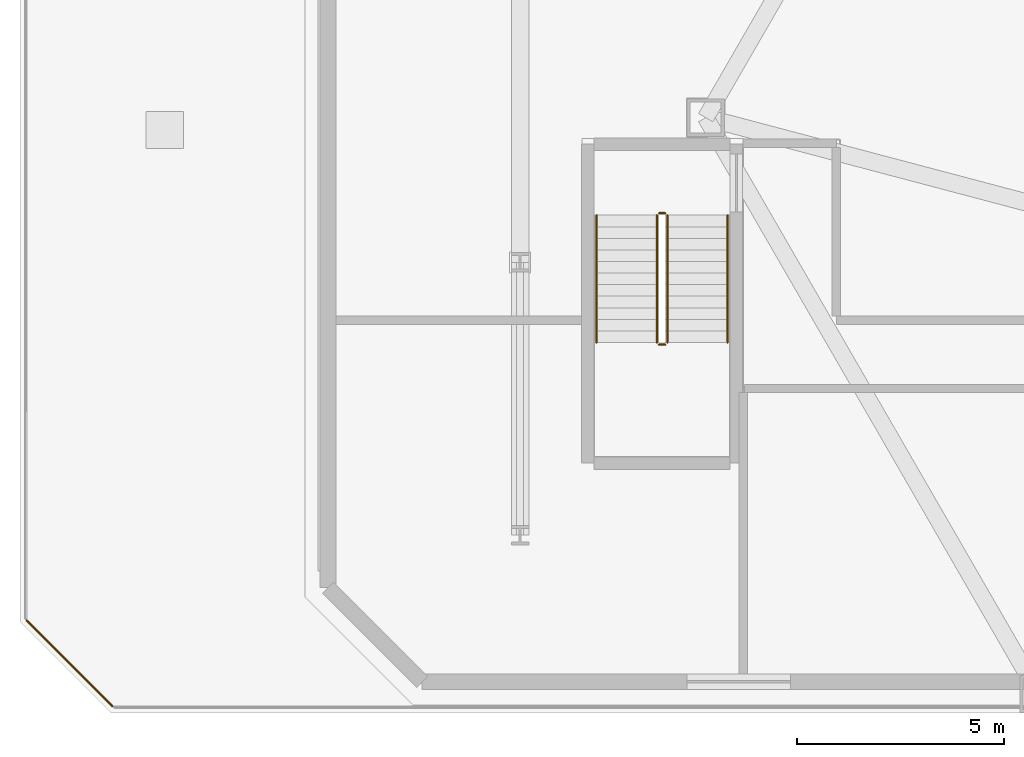
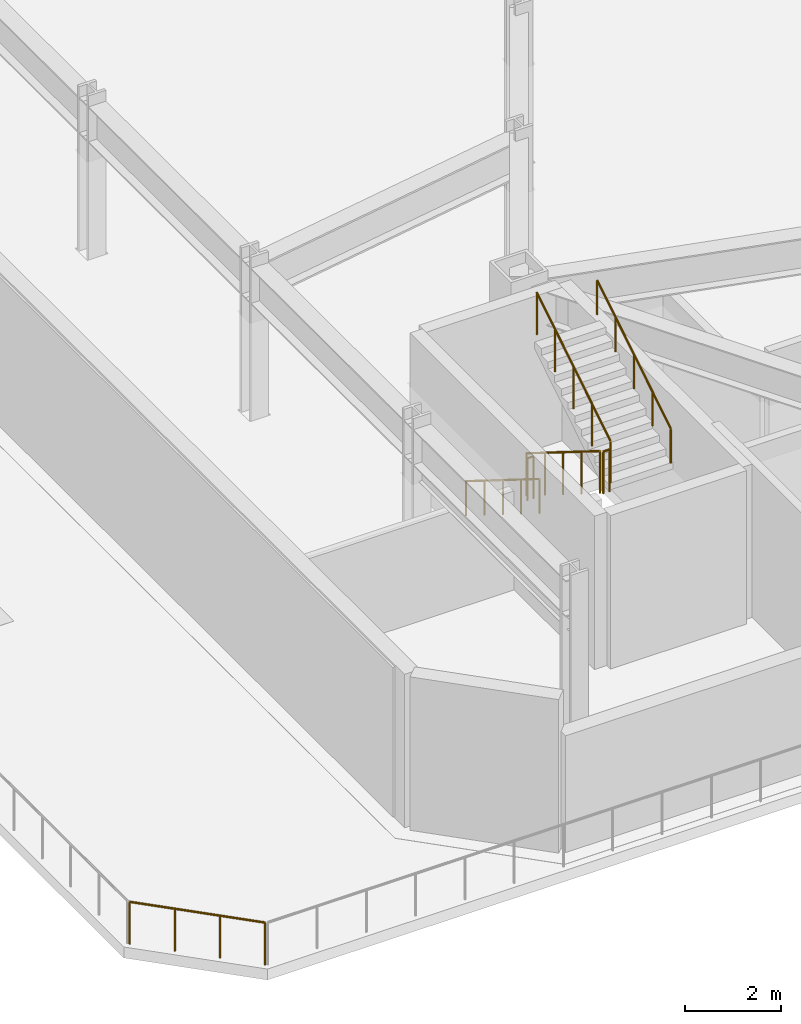
# One storey, part 11 of 16: 7 railings.
"""IFC4 building model written with IfcOpenShell, lengths in metres."""

from ifc_helpers import new_model, si_unit, direction, frame, origin, origin_2d, place, context, subcontext, project, spatial, circle, extrude, material, type_object, element, save


model = new_model("IFC4")

# Units and contexts
model_context = context("Model", 3, precision=1e-05, world=origin(), true_north=direction((0.0, 1.0)))
body_context = subcontext(model_context, "Body", "Model", "MODEL_VIEW")
ifc_project = project(units=[si_unit("LENGTHUNIT", "METRE"), si_unit("AREAUNIT", "SQUARE_METRE"), si_unit("VOLUMEUNIT", "CUBIC_METRE"), si_unit("PLANEANGLEUNIT", "RADIAN"), si_unit("MASSUNIT", "GRAM", prefix="KILO")], contexts=[model_context])

# Site, building, storey
site_placement = place(None, origin())
site = spatial("IfcSite", under=ifc_project, at=site_placement, CompositionType="ELEMENT")
building_placement = place(site_placement, origin())
building = spatial("IfcBuilding", under=site, at=building_placement, Name="Oramaril Tower", CompositionType="ELEMENT")
storey_placement = place(building_placement, frame((0.0, 0.0, 9.89990234375)))
storey = spatial("IfcBuildingStorey", under=building, at=storey_placement, Name="L02", CompositionType="ELEMENT", Elevation=9.89990234375)

# Railings
ifc_material_1 = material(Name="Stainless Steel 316L", Category="steel")
railing_type_1 = type_object("IfcRailingType", Name="RLT-GRD", PredefinedType="GUARDRAIL", material=ifc_material_1)
railing_1_placement = place(storey_placement, frame((-3.3388671875, 3.13671875, 0.0)))
element("IfcRailing", 1, at=railing_1_placement, inside=storey, type_object=railing_type_1, Name="L02 Podium Terrace Guardrail 08", PredefinedType="GUARDRAIL", context=body_context, shape_type="SweptSolid", body=[
    extrude(circle(Radius=0.02392578125, at=origin_2d()), frame((0.0, 0.0, 1.076171875), z_axis=(0.707148367141, -0.707065192786, 0.0), x_axis=(0.707065192786, 0.707148367141, 0.0)), (0.0, 0.0, 1.0), 2.935302734375),
    extrude(circle(Radius=0.02099609375, at=origin_2d()), origin(), (0.0, 0.0, 1.0), 1.052001953125),
    extrude(circle(Radius=0.02099609375, at=origin_2d()), frame((0.69189453125, -0.69189453125, 0.0)), (0.0, 0.0, 1.0), 1.052001953125),
    extrude(circle(Radius=0.02099609375, at=origin_2d()), frame((1.3837890625, -1.383544921875, 0.0)), (0.0, 0.0, 1.0), 1.052001953125),
    extrude(circle(Radius=0.02099609375, at=origin_2d()), frame((2.07568359375, -2.075439453125, 0.0)), (0.0, 0.0, 1.0), 1.052001953125),
])
railing_2_placement = place(storey_placement, frame((11.909912109375, 12.93994140625, 0.175048828125)))
element("IfcRailing", 2, at=railing_2_placement, inside=storey, type_object=railing_type_1, Name="L02 ST-3 stair guard 1", PredefinedType="GUARDRAIL", context=body_context, shape_type="SweptSolid", body=[
    extrude(circle(Radius=0.02392578125, at=origin_2d()), frame((0.0, 0.0, 1.076171875), z_axis=(0.0, -0.847979421464, 0.530029150871), x_axis=(1.0, 0.0, 0.0)), (0.0, 0.0, 1.0), 3.632080078125),
    extrude(circle(Radius=0.02099609375, at=origin_2d()), origin(), (0.0, 0.0, 1.0), 1.052001953125),
    extrude(circle(Radius=0.02099609375, at=origin_2d()), frame((0.0, -0.77001953125, 0.481201171875)), (0.0, 0.0, 1.0), 1.052001953125),
    extrude(circle(Radius=0.02099609375, at=origin_2d()), frame((0.0, -1.5400390625, 0.96240234375)), (0.0, 0.0, 1.0), 1.052001953125),
    extrude(circle(Radius=0.02099609375, at=origin_2d()), frame((0.0, -2.309814453125, 1.44384765625)), (0.0, 0.0, 1.0), 1.052001953125),
    extrude(circle(Radius=0.02099609375, at=origin_2d()), frame((0.0, -3.079833984375, 1.925048828125)), (0.0, 0.0, 1.0), 1.052001953125),
])
railing_3_placement = place(storey_placement, frame((11.9599609375, 9.81005859375, 2.10009765625)))
element("IfcRailing", 3, at=railing_3_placement, inside=storey, type_object=railing_type_1, Name="L02 ST-3 stair guard 2", PredefinedType="GUARDRAIL", context=body_context, shape_type="SweptSolid", body=[
    extrude(circle(Radius=0.02392578125, at=origin_2d()), frame((0.0, 0.0, 1.076171875), z_axis=(1.0, 0.0, 0.0), x_axis=(0.0, 1.0, 0.0)), (0.0, 0.0, 1.0), 0.150146484375),
    extrude(circle(Radius=0.02099609375, at=origin_2d()), origin(), (0.0, 0.0, 1.0), 1.052001953125),
    extrude(circle(Radius=0.02099609375, at=origin_2d()), frame((0.150146484375, 0.0, 0.0)), (0.0, 0.0, 1.0), 1.052001953125),
])
railing_4_placement = place(storey_placement, frame((12.159912109375, 9.860107421875, 2.275146484375)))
element("IfcRailing", 4, at=railing_4_placement, inside=storey, type_object=railing_type_1, Name="L02 ST-3 stair guard 3", PredefinedType="GUARDRAIL", context=body_context, shape_type="SweptSolid", body=[
    extrude(circle(Radius=0.02392578125, at=origin_2d()), frame((0.0, 0.0, 1.076171875), z_axis=(0.0, 0.847979421464, 0.530029150871), x_axis=(-1.0, 0.0, 0.0)), (0.0, 0.0, 1.0), 3.632080078125),
    extrude(circle(Radius=0.02099609375, at=origin_2d()), origin(), (0.0, 0.0, 1.0), 1.052001953125),
    extrude(circle(Radius=0.02099609375, at=origin_2d()), frame((0.0, 0.77001953125, 0.481201171875)), (0.0, 0.0, 1.0), 1.052001953125),
    extrude(circle(Radius=0.02099609375, at=origin_2d()), frame((0.0, 1.5400390625, 0.96240234375)), (0.0, 0.0, 1.0), 1.052001953125),
    extrude(circle(Radius=0.02099609375, at=origin_2d()), frame((0.0, 2.309814453125, 1.44384765625)), (0.0, 0.0, 1.0), 1.052001953125),
    extrude(circle(Radius=0.02099609375, at=origin_2d()), frame((0.0, 3.079833984375, 1.925048828125)), (0.0, 0.0, 1.0), 1.052001953125),
])
railing_5_placement = place(storey_placement, frame((11.9599609375, 12.989990234375, 0.0)))
element("IfcRailing", 5, at=railing_5_placement, inside=storey, type_object=railing_type_1, Name="L02 ST-3 stair guard 4", PredefinedType="GUARDRAIL", context=body_context, shape_type="SweptSolid", body=[
    extrude(circle(Radius=0.02392578125, at=origin_2d()), frame((0.0, 0.0, 1.076171875), z_axis=(1.0, 0.0, 0.0), x_axis=(0.0, 1.0, 0.0)), (0.0, 0.0, 1.0), 0.150146484375),
    extrude(circle(Radius=0.02099609375, at=origin_2d()), origin(), (0.0, 0.0, 1.0), 1.052001953125),
    extrude(circle(Radius=0.02099609375, at=origin_2d()), frame((0.150146484375, 0.0, 0.0)), (0.0, 0.0, 1.0), 1.052001953125),
])
ifc_material_2 = material(Name="Stainless Steel 316L", Category="steel")
railing_type_2 = type_object("IfcRailingType", Name="RLT-HND", PredefinedType="HANDRAIL", material=ifc_material_2)
railing_6_placement = place(storey_placement, frame((10.449951171875, 12.93994140625, 0.175048828125)))
element("IfcRailing", 6, at=railing_6_placement, inside=storey, type_object=railing_type_2, Name="L02 ST-3 stair handrail 1", PredefinedType="HANDRAIL", context=body_context, shape_type="SweptSolid", body=[
    extrude(circle(Radius=0.02392578125, at=origin_2d()), frame((0.0, 0.0, 0.8759765625), z_axis=(0.0, -0.847979421464, 0.530029150871), x_axis=(1.0, 0.0, 0.0)), (0.0, 0.0, 1.0), 3.632080078125),
    extrude(circle(Radius=0.02099609375, at=origin_2d()), origin(), (0.0, 0.0, 1.0), 0.851806640625),
    extrude(circle(Radius=0.02099609375, at=origin_2d()), frame((0.0, -0.77001953125, 0.481201171875)), (0.0, 0.0, 1.0), 0.851806640625),
    extrude(circle(Radius=0.02099609375, at=origin_2d()), frame((0.0, -1.5400390625, 0.96240234375)), (0.0, 0.0, 1.0), 0.851806640625),
    extrude(circle(Radius=0.02099609375, at=origin_2d()), frame((0.0, -2.309814453125, 1.44384765625)), (0.0, 0.0, 1.0), 0.851806640625),
    extrude(circle(Radius=0.02099609375, at=origin_2d()), frame((0.0, -3.079833984375, 1.925048828125)), (0.0, 0.0, 1.0), 0.851806640625),
])
railing_7_placement = place(storey_placement, frame((13.6201171875, 9.860107421875, 2.275146484375)))
element("IfcRailing", 7, at=railing_7_placement, inside=storey, type_object=railing_type_2, Name="L02 ST-3 stair handrail 2", PredefinedType="HANDRAIL", context=body_context, shape_type="SweptSolid", body=[
    extrude(circle(Radius=0.02392578125, at=origin_2d()), frame((0.0, 0.0, 0.8759765625), z_axis=(0.0, 0.847979421464, 0.530029150871), x_axis=(-1.0, 0.0, 0.0)), (0.0, 0.0, 1.0), 3.632080078125),
    extrude(circle(Radius=0.02099609375, at=origin_2d()), origin(), (0.0, 0.0, 1.0), 0.851806640625),
    extrude(circle(Radius=0.02099609375, at=origin_2d()), frame((0.0, 0.77001953125, 0.481201171875)), (0.0, 0.0, 1.0), 0.851806640625),
    extrude(circle(Radius=0.02099609375, at=origin_2d()), frame((0.0, 1.5400390625, 0.96240234375)), (0.0, 0.0, 1.0), 0.851806640625),
    extrude(circle(Radius=0.02099609375, at=origin_2d()), frame((0.0, 2.309814453125, 1.44384765625)), (0.0, 0.0, 1.0), 0.851806640625),
    extrude(circle(Radius=0.02099609375, at=origin_2d()), frame((0.0, 3.079833984375, 1.925048828125)), (0.0, 0.0, 1.0), 0.851806640625),
])

save(model, "model.ifc")
